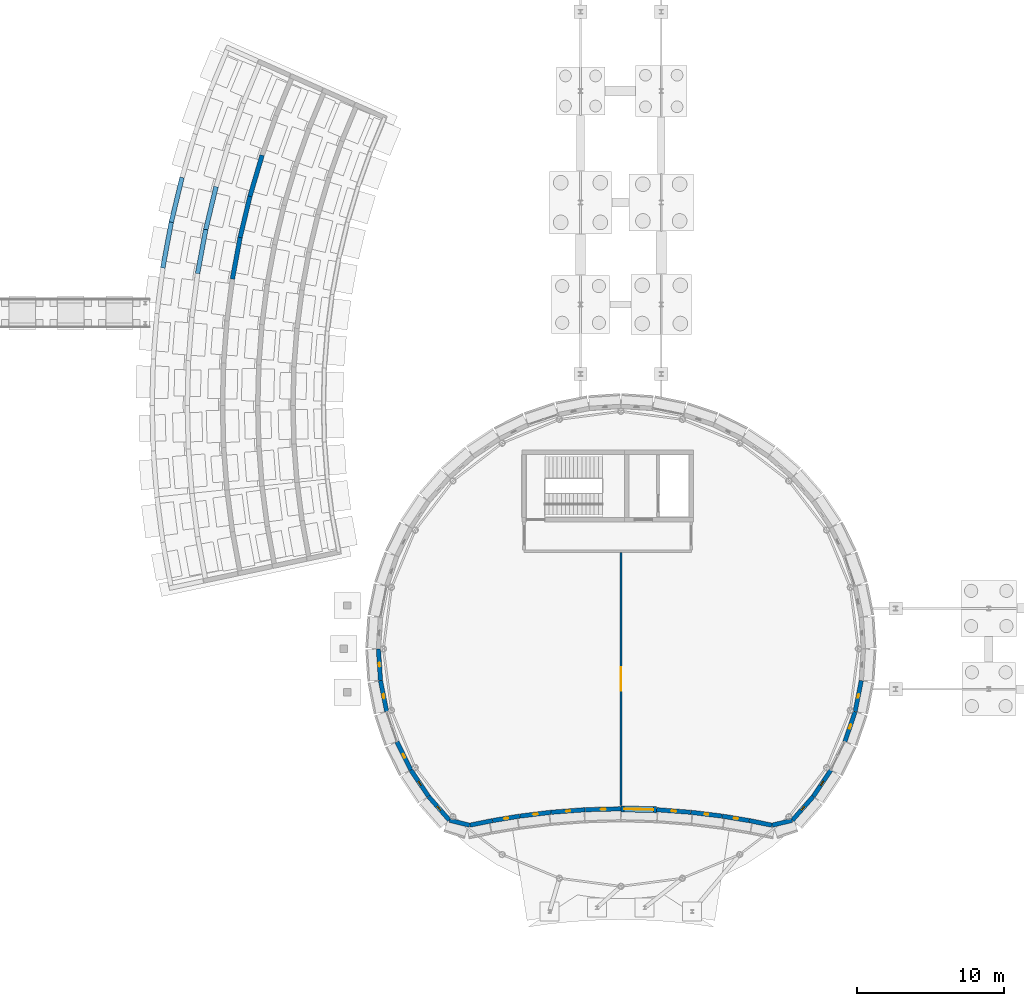
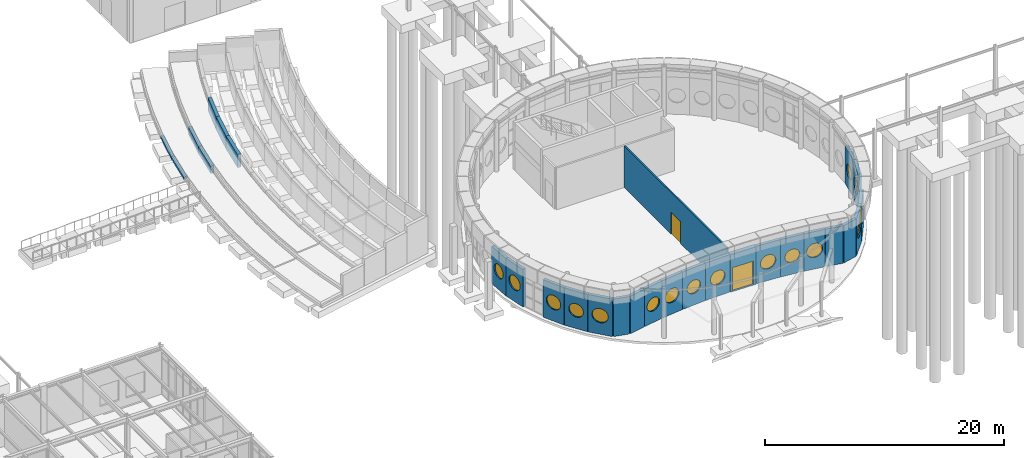
# One storey, part 83 of 109: 29 walls, 16 windows, 2 doors, 18 openings.
"""IFC4 building model written with IfcOpenShell, lengths in metres."""

from ifc_helpers import new_model, si_unit, direction, frame, frame_2d, origin, place, context, subcontext, project, spatial, rectangle, circle, extrude, material, layer, layer_set, type_object, element, fill, save


model = new_model("IFC4")

# Units and contexts
model_context = context("Model", 3, precision=1e-05, world=origin(), true_north=direction((0.0, 1.0)))
body_context = subcontext(model_context, "Body", "Model", "MODEL_VIEW")
ifc_project = project(units=[si_unit("LENGTHUNIT", "METRE"), si_unit("AREAUNIT", "SQUARE_METRE"), si_unit("VOLUMEUNIT", "CUBIC_METRE"), si_unit("PLANEANGLEUNIT", "RADIAN"), si_unit("MASSUNIT", "GRAM", prefix="KILO")], contexts=[model_context])

# Site, building, storey
site_placement = place(None, origin())
site = spatial("IfcSite", under=ifc_project, at=site_placement, CompositionType="ELEMENT")
building_placement = place(site_placement, origin())
building = spatial("IfcBuilding", under=site, at=building_placement, Name="Montecoro Central Library", CompositionType="ELEMENT")
storey_placement = place(building_placement, origin())
storey = spatial("IfcBuildingStorey", under=building, at=storey_placement, Name="L00", CompositionType="ELEMENT", Elevation=0.0)

# Wall, opening, window
ifc_material_1 = material(Name="Travertine Roman Stone and concrete C35/45", Category="masonry")
ifc_layer_1 = layer(ifc_material_1, 0.294921875)
ifc_layer_set_1 = layer_set([ifc_layer_1], Name="Travertine Roman Stone and concrete C35/45")
wall_type_1 = type_object("IfcWallType", Name="EW-DRM-295", PredefinedType="SOLIDWALL", material=ifc_layer_set_1)
wall_1_placement = place(storey_placement, frame((75.0810546875, 35.39208984375, 0.0), z_axis=(0.0, 0.0, 1.0), x_axis=(0.064773567518, -0.997899987449, 0.0)))
wall_1 = element("IfcWall", 1, at=wall_1_placement, inside=storey, type_object=wall_type_1, Name="V1-L00-EW-25", PredefinedType="SOLIDWALL", context=body_context, shape_type="SweptSolid", body=[
    extrude(rectangle(XDim=2.14453125, YDim=0.294921875, at=frame_2d((1.072265625, 0.0))), origin(), (0.0, 0.0, 1.0), 3.820068359375),
])
opening_1_placement = place(wall_1_placement, frame((0.39208984375, 0.0, 1.179931640625)))
opening_1 = element("IfcOpeningElement", 2, at=opening_1_placement, cuts=wall_1, Name="Opening WP-07", PredefinedType="OPENING", context=body_context, shape_type="SweptSolid", body=[
    extrude(circle(Radius=0.68017578125, at=frame_2d((0.68017578125, 0.68017578125))), frame((0.0, 0.157470703125, 0.0), z_axis=(0.0, -1.0, 0.0), x_axis=(1.0, 0.0, 0.0)), (0.0, 0.0, 1.0), 0.31494140625),
])
ifc_material_2 = material(Name="Clear sky-blue low-E laminated glazing", Category="glass")
window_type_1 = type_object("IfcWindowType", Name="WN-POR-CLR-136", PartitioningType="SINGLE_PANEL", PredefinedType="WINDOW", material=ifc_material_2)
window_1_placement = place(opening_1_placement, origin())
window_1 = element("IfcWindow", 3, at=window_1_placement, inside=storey, type_object=window_type_1, Name="V1-L00-WP-25", OverallHeight=1.360107421875, OverallWidth=1.360107421875, PartitioningType="SINGLE_PANEL", PredefinedType="WINDOW", context=body_context, shape_type="SweptSolid", body=[
    extrude(circle(Radius=0.68017578125, at=frame_2d((0.68017578125, 0.68017578125))), frame((0.0, 0.030029296875, 0.0), z_axis=(0.0, -1.0, 0.0), x_axis=(1.0, 0.0, 0.0)), (0.0, 0.0, 1.0), 0.06005859375),
])
fill(opening_1, window_1)

wall_2_placement = place(storey_placement, frame((75.222900390625, 33.236083984375, 0.0), z_axis=(0.0, 0.0, 1.0), x_axis=(0.194956014446, -0.98081198628, 0.0)))
wall_2 = element("IfcWall", 4, at=wall_2_placement, inside=storey, type_object=wall_type_1, Name="V1-L00-EW-26", PredefinedType="SOLIDWALL", context=body_context, shape_type="SweptSolid", body=[
    extrude(rectangle(XDim=2.145263671875, YDim=0.294921875, at=frame_2d((1.07275390625, 0.0))), origin(), (0.0, 0.0, 1.0), 3.820068359375),
])
opening_2_placement = place(wall_2_placement, frame((0.35302734375, 0.0, 1.179931640625)))
opening_2 = element("IfcOpeningElement", 5, at=opening_2_placement, cuts=wall_2, Name="Opening WP-02", PredefinedType="OPENING", context=body_context, shape_type="SweptSolid", body=[
    extrude(circle(Radius=0.719970703125, at=frame_2d((0.719970703125, 0.719970703125))), frame((0.0, 0.157470703125, 0.0), z_axis=(0.0, -1.0, 0.0), x_axis=(1.0, 0.0, 0.0)), (0.0, 0.0, 1.0), 0.31494140625),
])
ifc_material_3 = material(Name="Frosted pearl-white ceramic-fritted glazing", Category="glass")
window_type_2 = type_object("IfcWindowType", Name="WN-POR-FRT-144", PartitioningType="SINGLE_PANEL", PredefinedType="WINDOW", material=ifc_material_3)
window_2_placement = place(opening_2_placement, origin())
window_2 = element("IfcWindow", 6, at=window_2_placement, inside=storey, type_object=window_type_2, Name="V1-L00-WP-26", OverallHeight=1.43994140625, OverallWidth=1.43994140625, PartitioningType="SINGLE_PANEL", PredefinedType="WINDOW", context=body_context, shape_type="SweptSolid", body=[
    extrude(circle(Radius=0.719970703125, at=frame_2d((0.719970703125, 0.719970703125))), frame((0.0, 0.030029296875, 0.0), z_axis=(0.0, -1.0, 0.0), x_axis=(1.0, 0.0, 0.0)), (0.0, 0.0, 1.0), 0.06005859375),
])
fill(opening_2, window_2)

wall_3_placement = place(storey_placement, frame((76.342041015625, 29.071044921875, 0.0), z_axis=(0.0, 0.0, 1.0), x_axis=(0.441603666205, -0.897210232885, 0.0)))
wall_3 = element("IfcWall", 7, at=wall_3_placement, inside=storey, type_object=wall_type_1, Name="V1-L00-EW-28", PredefinedType="SOLIDWALL", context=body_context, shape_type="SweptSolid", body=[
    extrude(rectangle(XDim=2.14453125, YDim=0.294921875, at=frame_2d((1.072265625, 0.0))), origin(), (0.0, 0.0, 1.0), 3.820068359375),
])
opening_3_placement = place(wall_3_placement, frame((0.35205078125, 0.0, 1.179931640625)))
opening_3 = element("IfcOpeningElement", 8, at=opening_3_placement, cuts=wall_3, Name="Opening WP-02", PredefinedType="OPENING", context=body_context, shape_type="SweptSolid", body=[
    extrude(circle(Radius=0.719970703125, at=frame_2d((0.719970703125, 0.719970703125))), frame((0.0, 0.157470703125, 0.0), z_axis=(0.0, -1.0, 0.0), x_axis=(1.0, 0.0, 0.0)), (0.0, 0.0, 1.0), 0.31494140625),
])
window_3_placement = place(opening_3_placement, origin())
window_3 = element("IfcWindow", 9, at=window_3_placement, inside=storey, type_object=window_type_2, Name="V1-L00-WP-28", OverallHeight=1.43994140625, OverallWidth=1.43994140625, PartitioningType="SINGLE_PANEL", PredefinedType="WINDOW", context=body_context, shape_type="SweptSolid", body=[
    extrude(circle(Radius=0.719970703125, at=frame_2d((0.719970703125, 0.719970703125))), frame((0.0, 0.030029296875, 0.0), z_axis=(0.0, -1.0, 0.0), x_axis=(1.0, 0.0, 0.0)), (0.0, 0.0, 1.0), 0.06005859375),
])
fill(opening_3, window_3)

wall_4_placement = place(storey_placement, frame((77.297119140625, 27.133056640625, 0.0), z_axis=(0.0, 0.0, 1.0), x_axis=(0.556065143197, -0.831138710759, 0.0)))
wall_4 = element("IfcWall", 10, at=wall_4_placement, inside=storey, type_object=wall_type_1, Name="V1-L00-EW-29", PredefinedType="SOLIDWALL", context=body_context, shape_type="SweptSolid", body=[
    extrude(rectangle(XDim=2.145263671875, YDim=0.294921875, at=frame_2d((1.07275390625, 0.0))), origin(), (0.0, 0.0, 1.0), 3.820068359375),
])
opening_4_placement = place(wall_4_placement, frame((0.39306640625, 0.0, 1.179931640625)))
opening_4 = element("IfcOpeningElement", 11, at=opening_4_placement, cuts=wall_4, Name="Opening WP-07", PredefinedType="OPENING", context=body_context, shape_type="SweptSolid", body=[
    extrude(circle(Radius=0.68017578125, at=frame_2d((0.68017578125, 0.68017578125))), frame((0.0, 0.157470703125, 0.0), z_axis=(0.0, -1.0, 0.0), x_axis=(1.0, 0.0, 0.0)), (0.0, 0.0, 1.0), 0.31494140625),
])
window_4_placement = place(opening_4_placement, origin())
window_4 = element("IfcWindow", 12, at=window_4_placement, inside=storey, type_object=window_type_1, Name="V1-L00-WP-29", OverallHeight=1.360107421875, OverallWidth=1.360107421875, PartitioningType="SINGLE_PANEL", PredefinedType="WINDOW", context=body_context, shape_type="SweptSolid", body=[
    extrude(circle(Radius=0.68017578125, at=frame_2d((0.68017578125, 0.68017578125))), frame((0.0, 0.030029296875, 0.0), z_axis=(0.0, -1.0, 0.0), x_axis=(1.0, 0.0, 0.0)), (0.0, 0.0, 1.0), 0.06005859375),
])
fill(opening_4, window_4)

wall_5_placement = place(storey_placement, frame((78.4990234375, 25.3369140625, 0.0), z_axis=(0.0, 0.0, 1.0), x_axis=(0.659744735503, -0.751489776362, 0.0)))
wall_5 = element("IfcWall", 13, at=wall_5_placement, inside=storey, type_object=wall_type_1, Name="V1-L00-EW-30", PredefinedType="SOLIDWALL", context=body_context, shape_type="SweptSolid", body=[
    extrude(rectangle(XDim=2.144775390625, YDim=0.294921875, at=frame_2d((1.072265625, 0.0))), origin(), (0.0, 0.0, 1.0), 3.820068359375),
])
opening_5_placement = place(wall_5_placement, frame((0.35205078125, 0.0, 1.179931640625)))
opening_5 = element("IfcOpeningElement", 14, at=opening_5_placement, cuts=wall_5, Name="Opening WP-02", PredefinedType="OPENING", context=body_context, shape_type="SweptSolid", body=[
    extrude(circle(Radius=0.719970703125, at=frame_2d((0.719970703125, 0.719970703125))), frame((0.0, 0.157470703125, 0.0), z_axis=(0.0, -1.0, 0.0), x_axis=(1.0, 0.0, 0.0)), (0.0, 0.0, 1.0), 0.31494140625),
])
window_5_placement = place(opening_5_placement, origin())
window_5 = element("IfcWindow", 15, at=window_5_placement, inside=storey, type_object=window_type_2, Name="V1-L00-WP-30", OverallHeight=1.43994140625, OverallWidth=1.43994140625, PartitioningType="SINGLE_PANEL", PredefinedType="WINDOW", context=body_context, shape_type="SweptSolid", body=[
    extrude(circle(Radius=0.719970703125, at=frame_2d((0.719970703125, 0.719970703125))), frame((0.0, 0.030029296875, 0.0), z_axis=(0.0, -1.0, 0.0), x_axis=(1.0, 0.0, 0.0)), (0.0, 0.0, 1.0), 0.06005859375),
])
fill(opening_5, window_5)

# Walls
wall_6_placement = place(storey_placement, frame((79.927001953125, 23.717041015625, 0.0), z_axis=(0.0, 0.0, 1.0), x_axis=(0.971821236308, -0.235719079968, 0.0)))
element("IfcWall", 16, at=wall_6_placement, inside=storey, type_object=wall_type_1, Name="V1-L00-EW-31", PredefinedType="SOLIDWALL", context=body_context, shape_type="SweptSolid", body=[
    extrude(rectangle(XDim=1.40869140625, YDim=0.294921875, at=frame_2d((0.704345703125, 0.0))), origin(), (0.0, 0.0, 1.0), 3.820068359375),
])
wall_7_placement = place(storey_placement, frame((81.31201171875, 23.385009765625, 0.0), z_axis=(0.0, 0.0, 1.0), x_axis=(0.980280303424, 0.197612061166, 0.0)))
element("IfcWall", 17, at=wall_7_placement, inside=storey, type_object=wall_type_1, Name="V1-L00-EW-32", PredefinedType="SOLIDWALL", context=body_context, shape_type="SweptSolid", body=[
    extrude(rectangle(XDim=1.569091796875, YDim=0.294921875, at=frame_2d((0.78466796875, 0.0))), origin(), (0.0, 0.0, 1.0), 3.820068359375),
])

# Wall, opening, window
wall_8_placement = place(storey_placement, frame((82.865966796875, 23.697998046875, 0.0), z_axis=(0.0, 0.0, 1.0), x_axis=(0.986601424096, 0.163149103495, 0.0)))
wall_8 = element("IfcWall", 18, at=wall_8_placement, inside=storey, type_object=wall_type_1, Name="V1-L00-EW-33", PredefinedType="SOLIDWALL", context=body_context, shape_type="SweptSolid", body=[
    extrude(rectangle(XDim=1.869140625, YDim=0.294921875, at=frame_2d((0.9345703125, 0.0))), origin(), (0.0, 0.0, 1.0), 3.820068359375),
])
opening_6_placement = place(wall_8_placement, frame((0.2548828125, 0.0, 1.179931640625)))
opening_6 = element("IfcOpeningElement", 19, at=opening_6_placement, cuts=wall_8, Name="Opening WP-07", PredefinedType="OPENING", context=body_context, shape_type="SweptSolid", body=[
    extrude(circle(Radius=0.68017578125, at=frame_2d((0.68017578125, 0.68017578125))), frame((0.0, 0.157470703125, 0.0), z_axis=(0.0, -1.0, 0.0), x_axis=(1.0, 0.0, 0.0)), (0.0, 0.0, 1.0), 0.31494140625),
])
window_6_placement = place(opening_6_placement, origin())
window_6 = element("IfcWindow", 20, at=window_6_placement, inside=storey, type_object=window_type_1, Name="V1-L00-WP-33", OverallHeight=1.360107421875, OverallWidth=1.360107421875, PartitioningType="SINGLE_PANEL", PredefinedType="WINDOW", context=body_context, shape_type="SweptSolid", body=[
    extrude(circle(Radius=0.68017578125, at=frame_2d((0.68017578125, 0.68017578125))), frame((0.0, 0.030029296875, 0.0), z_axis=(0.0, -1.0, 0.0), x_axis=(1.0, 0.0, 0.0)), (0.0, 0.0, 1.0), 0.06005859375),
])
fill(opening_6, window_6)

wall_9_placement = place(storey_placement, frame((84.72607421875, 24.0048828125, 0.0), z_axis=(0.0, 0.0, 1.0), x_axis=(0.992603063685, 0.121404933848, 0.0)))
wall_9 = element("IfcWall", 21, at=wall_9_placement, inside=storey, type_object=wall_type_1, Name="V1-L00-EW-34", PredefinedType="SOLIDWALL", context=body_context, shape_type="SweptSolid", body=[
    extrude(rectangle(XDim=2.12548828125, YDim=0.294921875, at=frame_2d((1.062744140625, 0.0))), origin(), (0.0, 0.0, 1.0), 3.820068359375),
])
opening_7_placement = place(wall_9_placement, frame((0.343017578125, 0.0, 1.179931640625)))
opening_7 = element("IfcOpeningElement", 22, at=opening_7_placement, cuts=wall_9, Name="Opening WP-02", PredefinedType="OPENING", context=body_context, shape_type="SweptSolid", body=[
    extrude(circle(Radius=0.719970703125, at=frame_2d((0.719970703125, 0.719970703125))), frame((0.0, 0.157470703125, 0.0), z_axis=(0.0, -1.0, 0.0), x_axis=(1.0, 0.0, 0.0)), (0.0, 0.0, 1.0), 0.31494140625),
])
window_7_placement = place(opening_7_placement, origin())
window_7 = element("IfcWindow", 23, at=window_7_placement, inside=storey, type_object=window_type_2, Name="V1-L00-WP-34", OverallHeight=1.43994140625, OverallWidth=1.43994140625, PartitioningType="SINGLE_PANEL", PredefinedType="WINDOW", context=body_context, shape_type="SweptSolid", body=[
    extrude(circle(Radius=0.719970703125, at=frame_2d((0.719970703125, 0.719970703125))), frame((0.0, 0.030029296875, 0.0), z_axis=(0.0, -1.0, 0.0), x_axis=(1.0, 0.0, 0.0)), (0.0, 0.0, 1.0), 0.06005859375),
])
fill(opening_7, window_7)

wall_10_placement = place(storey_placement, frame((86.85205078125, 24.264892578125, 0.0), z_axis=(0.0, 0.0, 1.0), x_axis=(0.997232829657, 0.074341667009, 0.0)))
wall_10 = element("IfcWall", 24, at=wall_10_placement, inside=storey, type_object=wall_type_1, Name="V1-L00-EW-35", PredefinedType="SOLIDWALL", context=body_context, shape_type="SweptSolid", body=[
    extrude(rectangle(XDim=2.315185546875, YDim=0.294921875, at=frame_2d((1.15771484375, 0.0))), origin(), (0.0, 0.0, 1.0), 3.820068359375),
])
opening_8_placement = place(wall_10_placement, frame((0.47802734375, 0.0, 1.179931640625)))
opening_8 = element("IfcOpeningElement", 25, at=opening_8_placement, cuts=wall_10, Name="Opening WP-07", PredefinedType="OPENING", context=body_context, shape_type="SweptSolid", body=[
    extrude(circle(Radius=0.68017578125, at=frame_2d((0.68017578125, 0.68017578125))), frame((0.0, 0.157470703125, 0.0), z_axis=(0.0, -1.0, 0.0), x_axis=(1.0, 0.0, 0.0)), (0.0, 0.0, 1.0), 0.31494140625),
])
window_8_placement = place(opening_8_placement, origin())
window_8 = element("IfcWindow", 26, at=window_8_placement, inside=storey, type_object=window_type_1, Name="V1-L00-WP-35", OverallHeight=1.360107421875, OverallWidth=1.360107421875, PartitioningType="SINGLE_PANEL", PredefinedType="WINDOW", context=body_context, shape_type="SweptSolid", body=[
    extrude(circle(Radius=0.68017578125, at=frame_2d((0.68017578125, 0.68017578125))), frame((0.0, 0.030029296875, 0.0), z_axis=(0.0, -1.0, 0.0), x_axis=(1.0, 0.0, 0.0)), (0.0, 0.0, 1.0), 0.06005859375),
])
fill(opening_8, window_8)

wall_11_placement = place(storey_placement, frame((89.177001953125, 24.43798828125, 0.0), z_axis=(0.0, 0.0, 1.0), x_axis=(0.999670500673, 0.025668854344, 0.0)))
wall_11 = element("IfcWall", 27, at=wall_11_placement, inside=storey, type_object=wall_type_1, Name="V1-L00-EW-36", PredefinedType="SOLIDWALL", context=body_context, shape_type="SweptSolid", body=[
    extrude(rectangle(XDim=2.415771484375, YDim=0.294921875, at=frame_2d((1.2080078125, 0.0))), origin(), (0.0, 0.0, 1.0), 3.820068359375),
])
opening_9_placement = place(wall_11_placement, frame((0.488037109375, 0.0, 1.179931640625)))
opening_9 = element("IfcOpeningElement", 28, at=opening_9_placement, cuts=wall_11, Name="Opening WP-02", PredefinedType="OPENING", context=body_context, shape_type="SweptSolid", body=[
    extrude(circle(Radius=0.719970703125, at=frame_2d((0.719970703125, 0.719970703125))), frame((0.0, 0.157470703125, 0.0), z_axis=(0.0, -1.0, 0.0), x_axis=(1.0, 0.0, 0.0)), (0.0, 0.0, 1.0), 0.31494140625),
])
window_9_placement = place(opening_9_placement, origin())
window_9 = element("IfcWindow", 29, at=window_9_placement, inside=storey, type_object=window_type_2, Name="V1-L00-WP-36", OverallHeight=1.43994140625, OverallWidth=1.43994140625, PartitioningType="SINGLE_PANEL", PredefinedType="WINDOW", context=body_context, shape_type="SweptSolid", body=[
    extrude(circle(Radius=0.719970703125, at=frame_2d((0.719970703125, 0.719970703125))), frame((0.0, 0.030029296875, 0.0), z_axis=(0.0, -1.0, 0.0), x_axis=(1.0, 0.0, 0.0)), (0.0, 0.0, 1.0), 0.06005859375),
])
fill(opening_9, window_9)

wall_12_placement = place(storey_placement, frame((94.0390625, 24.43701171875, 0.0), z_axis=(0.0, 0.0, 1.0), x_axis=(0.997232829657, -0.074341667009, 0.0)))
wall_12 = element("IfcWall", 30, at=wall_12_placement, inside=storey, type_object=wall_type_1, Name="V1-L00-EW-38", PredefinedType="SOLIDWALL", context=body_context, shape_type="SweptSolid", body=[
    extrude(rectangle(XDim=2.315185546875, YDim=0.294921875, at=frame_2d((1.15771484375, 0.0))), origin(), (0.0, 0.0, 1.0), 3.820068359375),
])
opening_10_placement = place(wall_12_placement, frame((0.43798828125, 0.0, 1.179931640625)))
opening_10 = element("IfcOpeningElement", 31, at=opening_10_placement, cuts=wall_12, Name="Opening WP-02", PredefinedType="OPENING", context=body_context, shape_type="SweptSolid", body=[
    extrude(circle(Radius=0.719970703125, at=frame_2d((0.719970703125, 0.719970703125))), frame((0.0, 0.157470703125, 0.0), z_axis=(0.0, -1.0, 0.0), x_axis=(1.0, 0.0, 0.0)), (0.0, 0.0, 1.0), 0.31494140625),
])
window_10_placement = place(opening_10_placement, origin())
window_10 = element("IfcWindow", 32, at=window_10_placement, inside=storey, type_object=window_type_2, Name="V1-L00-WP-38", OverallHeight=1.43994140625, OverallWidth=1.43994140625, PartitioningType="SINGLE_PANEL", PredefinedType="WINDOW", context=body_context, shape_type="SweptSolid", body=[
    extrude(circle(Radius=0.719970703125, at=frame_2d((0.719970703125, 0.719970703125))), frame((0.0, 0.030029296875, 0.0), z_axis=(0.0, -1.0, 0.0), x_axis=(1.0, 0.0, 0.0)), (0.0, 0.0, 1.0), 0.06005859375),
])
fill(opening_10, window_10)

wall_13_placement = place(storey_placement, frame((96.364013671875, 24.262939453125, 0.0), z_axis=(0.0, 0.0, 1.0), x_axis=(0.992604756306, -0.121391094228, 0.0)))
wall_13 = element("IfcWall", 33, at=wall_13_placement, inside=storey, type_object=wall_type_1, Name="V1-L00-EW-39", PredefinedType="SOLIDWALL", context=body_context, shape_type="SweptSolid", body=[
    extrude(rectangle(XDim=2.125732421875, YDim=0.294921875, at=frame_2d((1.06298828125, 0.0))), origin(), (0.0, 0.0, 1.0), 3.820068359375),
])
opening_11_placement = place(wall_13_placement, frame((0.383056640625, 0.0, 1.179931640625)))
opening_11 = element("IfcOpeningElement", 34, at=opening_11_placement, cuts=wall_13, Name="Opening WP-07", PredefinedType="OPENING", context=body_context, shape_type="SweptSolid", body=[
    extrude(circle(Radius=0.68017578125, at=frame_2d((0.68017578125, 0.68017578125))), frame((0.0, 0.157470703125, 0.0), z_axis=(0.0, -1.0, 0.0), x_axis=(1.0, 0.0, 0.0)), (0.0, 0.0, 1.0), 0.31494140625),
])
window_11_placement = place(opening_11_placement, origin())
window_11 = element("IfcWindow", 35, at=window_11_placement, inside=storey, type_object=window_type_1, Name="V1-L00-WP-39", OverallHeight=1.360107421875, OverallWidth=1.360107421875, PartitioningType="SINGLE_PANEL", PredefinedType="WINDOW", context=body_context, shape_type="SweptSolid", body=[
    extrude(circle(Radius=0.68017578125, at=frame_2d((0.68017578125, 0.68017578125))), frame((0.0, 0.030029296875, 0.0), z_axis=(0.0, -1.0, 0.0), x_axis=(1.0, 0.0, 0.0)), (0.0, 0.0, 1.0), 0.06005859375),
])
fill(opening_11, window_11)

wall_14_placement = place(storey_placement, frame((98.489990234375, 24.0029296875, 0.0), z_axis=(0.0, 0.0, 1.0), x_axis=(0.986601424096, -0.163149103495, 0.0)))
wall_14 = element("IfcWall", 36, at=wall_14_placement, inside=storey, type_object=wall_type_1, Name="V1-L00-EW-40", PredefinedType="SOLIDWALL", context=body_context, shape_type="SweptSolid", body=[
    extrude(rectangle(XDim=1.869140625, YDim=0.294921875, at=frame_2d((0.9345703125, 0.0))), origin(), (0.0, 0.0, 1.0), 3.820068359375),
])
opening_12_placement = place(wall_14_placement, frame((0.215087890625, 0.0, 1.179931640625)))
opening_12 = element("IfcOpeningElement", 37, at=opening_12_placement, cuts=wall_14, Name="Opening WP-02", PredefinedType="OPENING", context=body_context, shape_type="SweptSolid", body=[
    extrude(circle(Radius=0.719970703125, at=frame_2d((0.719970703125, 0.719970703125))), frame((0.0, 0.157470703125, 0.0), z_axis=(0.0, -1.0, 0.0), x_axis=(1.0, 0.0, 0.0)), (0.0, 0.0, 1.0), 0.31494140625),
])
window_12_placement = place(opening_12_placement, origin())
window_12 = element("IfcWindow", 38, at=window_12_placement, inside=storey, type_object=window_type_2, Name="V1-L00-WP-40", OverallHeight=1.43994140625, OverallWidth=1.43994140625, PartitioningType="SINGLE_PANEL", PredefinedType="WINDOW", context=body_context, shape_type="SweptSolid", body=[
    extrude(circle(Radius=0.719970703125, at=frame_2d((0.719970703125, 0.719970703125))), frame((0.0, 0.030029296875, 0.0), z_axis=(0.0, -1.0, 0.0), x_axis=(1.0, 0.0, 0.0)), (0.0, 0.0, 1.0), 0.06005859375),
])
fill(opening_12, window_12)

# Walls
wall_15_placement = place(storey_placement, frame((100.35009765625, 23.695068359375, 0.0), z_axis=(0.0, 0.0, 1.0), x_axis=(0.98027422577, -0.197642207768, 0.0)))
element("IfcWall", 39, at=wall_15_placement, inside=storey, type_object=wall_type_1, Name="V1-L00-EW-41", PredefinedType="SOLIDWALL", context=body_context, shape_type="SweptSolid", body=[
    extrude(rectangle(XDim=1.56884765625, YDim=0.294921875, at=frame_2d((0.784423828125, 0.0))), origin(), (0.0, 0.0, 1.0), 3.820068359375),
])
wall_16_placement = place(storey_placement, frame((101.904052734375, 23.385009765625, 0.0), z_axis=(0.0, 0.0, 1.0), x_axis=(0.971821236308, 0.235719079968, 0.0)))
element("IfcWall", 40, at=wall_16_placement, inside=storey, type_object=wall_type_1, Name="V1-L00-EW-42", PredefinedType="SOLIDWALL", context=body_context, shape_type="SweptSolid", body=[
    extrude(rectangle(XDim=1.40869140625, YDim=0.294921875, at=frame_2d((0.704345703125, 0.0))), origin(), (0.0, 0.0, 1.0), 3.820068359375),
])

# Wall, opening, window
wall_17_placement = place(storey_placement, frame((103.285888671875, 23.72509765625, 0.0), z_axis=(0.0, 0.0, 1.0), x_axis=(0.659744735503, 0.751489776362, 0.0)))
wall_17 = element("IfcWall", 41, at=wall_17_placement, inside=storey, type_object=wall_type_1, Name="V1-L00-EW-43", PredefinedType="SOLIDWALL", context=body_context, shape_type="SweptSolid", body=[
    extrude(rectangle(XDim=2.144775390625, YDim=0.294921875, at=frame_2d((1.072265625, 0.0))), origin(), (0.0, 0.0, 1.0), 3.820068359375),
])
opening_13_placement = place(wall_17_placement, frame((0.39208984375, 0.0, 1.179931640625)))
opening_13 = element("IfcOpeningElement", 42, at=opening_13_placement, cuts=wall_17, Name="Opening WP-07", PredefinedType="OPENING", context=body_context, shape_type="SweptSolid", body=[
    extrude(circle(Radius=0.68017578125, at=frame_2d((0.68017578125, 0.68017578125))), frame((0.0, 0.157470703125, 0.0), z_axis=(0.0, -1.0, 0.0), x_axis=(1.0, 0.0, 0.0)), (0.0, 0.0, 1.0), 0.31494140625),
])
window_13_placement = place(opening_13_placement, origin())
window_13 = element("IfcWindow", 43, at=window_13_placement, inside=storey, type_object=window_type_1, Name="V1-L00-WP-43", OverallHeight=1.360107421875, OverallWidth=1.360107421875, PartitioningType="SINGLE_PANEL", PredefinedType="WINDOW", context=body_context, shape_type="SweptSolid", body=[
    extrude(circle(Radius=0.68017578125, at=frame_2d((0.68017578125, 0.68017578125))), frame((0.0, 0.030029296875, 0.0), z_axis=(0.0, -1.0, 0.0), x_axis=(1.0, 0.0, 0.0)), (0.0, 0.0, 1.0), 0.06005859375),
])
fill(opening_13, window_13)

wall_18_placement = place(storey_placement, frame((104.7099609375, 25.35009765625, 0.0), z_axis=(0.0, 0.0, 1.0), x_axis=(0.556143753234, 0.831086112108, 0.0)))
wall_18 = element("IfcWall", 44, at=wall_18_placement, inside=storey, type_object=wall_type_1, Name="V1-L00-EW-44", PredefinedType="SOLIDWALL", context=body_context, shape_type="SweptSolid", body=[
    extrude(rectangle(XDim=2.145263671875, YDim=0.294921875, at=frame_2d((1.07275390625, 0.0))), origin(), (0.0, 0.0, 1.0), 3.820068359375),
])
opening_14_placement = place(wall_18_placement, frame((0.35302734375, 0.0, 1.179931640625)))
opening_14 = element("IfcOpeningElement", 45, at=opening_14_placement, cuts=wall_18, Name="Opening WP-02", PredefinedType="OPENING", context=body_context, shape_type="SweptSolid", body=[
    extrude(circle(Radius=0.719970703125, at=frame_2d((0.719970703125, 0.719970703125))), frame((0.0, 0.157470703125, 0.0), z_axis=(0.0, -1.0, 0.0), x_axis=(1.0, 0.0, 0.0)), (0.0, 0.0, 1.0), 0.31494140625),
])
window_14_placement = place(opening_14_placement, origin())
window_14 = element("IfcWindow", 46, at=window_14_placement, inside=storey, type_object=window_type_2, Name="V1-L00-WP-44", OverallHeight=1.43994140625, OverallWidth=1.43994140625, PartitioningType="SINGLE_PANEL", PredefinedType="WINDOW", context=body_context, shape_type="SweptSolid", body=[
    extrude(circle(Radius=0.719970703125, at=frame_2d((0.719970703125, 0.719970703125))), frame((0.0, 0.030029296875, 0.0), z_axis=(0.0, -1.0, 0.0), x_axis=(1.0, 0.0, 0.0)), (0.0, 0.0, 1.0), 0.06005859375),
])
fill(opening_14, window_14)

wall_19_placement = place(storey_placement, frame((106.864990234375, 29.0859375, 0.0), z_axis=(0.0, 0.0, 1.0), x_axis=(0.321382058047, 0.946949614692, 0.0)))
wall_19 = element("IfcWall", 47, at=wall_19_placement, inside=storey, type_object=wall_type_1, Name="V1-L00-EW-46", PredefinedType="SOLIDWALL", context=body_context, shape_type="SweptSolid", body=[
    extrude(rectangle(XDim=2.143798828125, YDim=0.294921875, at=frame_2d((1.07177734375, 0.0))), origin(), (0.0, 0.0, 1.0), 3.820068359375),
])
opening_15_placement = place(wall_19_placement, frame((0.35205078125, 0.0, 1.179931640625)))
opening_15 = element("IfcOpeningElement", 48, at=opening_15_placement, cuts=wall_19, Name="Opening WP-02", PredefinedType="OPENING", context=body_context, shape_type="SweptSolid", body=[
    extrude(circle(Radius=0.719970703125, at=frame_2d((0.719970703125, 0.719970703125))), frame((0.0, 0.157470703125, 0.0), z_axis=(0.0, -1.0, 0.0), x_axis=(1.0, 0.0, 0.0)), (0.0, 0.0, 1.0), 0.31494140625),
])
window_15_placement = place(opening_15_placement, origin())
window_15 = element("IfcWindow", 49, at=window_15_placement, inside=storey, type_object=window_type_2, Name="V1-L00-WP-46", OverallHeight=1.43994140625, OverallWidth=1.43994140625, PartitioningType="SINGLE_PANEL", PredefinedType="WINDOW", context=body_context, shape_type="SweptSolid", body=[
    extrude(circle(Radius=0.719970703125, at=frame_2d((0.719970703125, 0.719970703125))), frame((0.0, 0.030029296875, 0.0), z_axis=(0.0, -1.0, 0.0), x_axis=(1.0, 0.0, 0.0)), (0.0, 0.0, 1.0), 0.06005859375),
])
fill(opening_15, window_15)

wall_20_placement = place(storey_placement, frame((107.55908203125, 31.132080078125, 0.0), z_axis=(0.0, 0.0, 1.0), x_axis=(0.194846526766, 0.980833742796, 0.0)))
wall_20 = element("IfcWall", 50, at=wall_20_placement, inside=storey, type_object=wall_type_1, Name="V1-L00-EW-47", PredefinedType="SOLIDWALL", context=body_context, shape_type="SweptSolid", body=[
    extrude(rectangle(XDim=2.14501953125, YDim=0.294921875, at=frame_2d((1.072509765625, 0.0))), origin(), (0.0, 0.0, 1.0), 3.820068359375),
])
opening_16_placement = place(wall_20_placement, frame((0.39306640625, 0.0, 1.179931640625)))
opening_16 = element("IfcOpeningElement", 51, at=opening_16_placement, cuts=wall_20, Name="Opening WP-07", PredefinedType="OPENING", context=body_context, shape_type="SweptSolid", body=[
    extrude(circle(Radius=0.68017578125, at=frame_2d((0.68017578125, 0.68017578125))), frame((0.0, 0.157470703125, 0.0), z_axis=(0.0, -1.0, 0.0), x_axis=(1.0, 0.0, 0.0)), (0.0, 0.0, 1.0), 0.31494140625),
])
window_16_placement = place(opening_16_placement, origin())
window_16 = element("IfcWindow", 52, at=window_16_placement, inside=storey, type_object=window_type_1, Name="V1-L00-WP-47", OverallHeight=1.360107421875, OverallWidth=1.360107421875, PartitioningType="SINGLE_PANEL", PredefinedType="WINDOW", context=body_context, shape_type="SweptSolid", body=[
    extrude(circle(Radius=0.68017578125, at=frame_2d((0.68017578125, 0.68017578125))), frame((0.0, 0.030029296875, 0.0), z_axis=(0.0, -1.0, 0.0), x_axis=(1.0, 0.0, 0.0)), (0.0, 0.0, 1.0), 0.06005859375),
])
fill(opening_16, window_16)

# Walls
ifc_material_4 = material(Name="Roman travertine stone clad concrete C35/45", Category="masonry")
ifc_layer_2 = layer(ifc_material_4, 0.31005859375)
ifc_layer_set_2 = layer_set([ifc_layer_2], Name="Roman travertine stone clad concrete C35/45")
wall_type_2 = type_object("IfcWallType", Name="EW-TRV-LB-310", PredefinedType="SOLIDWALL", material=ifc_layer_set_2)
for number, where, z_axis, x_axis, name in (
    (53, (61.7041015625, 67.507080078125, 0.0), (0.0, 0.0, 1.0), (-0.233617412682, -0.97232859903, 0.0), "Stepped Terrace Retaining Wall 1"),
    (54, (60.971923828125, 64.4609375, 0.0), (0.0, 0.0, 1.0), (-0.182127834384, -0.983274860831, 0.0), "Stepped Terrace Retaining Wall 1"),
):
    element("IfcWall", number, at=place(storey_placement, frame(where, z_axis=z_axis, x_axis=x_axis)), inside=storey, type_object=wall_type_2, Name=name, PredefinedType="SOLIDWALL", context=body_context, shape_type="SweptSolid", body=[
        extrude(rectangle(XDim=3.1728515625, YDim=0.31005859375, at=frame_2d((1.58642578125, 0.0))), origin(), (0.0, 0.0, 1.0), 0.260009765625),
    ])
for number, where, z_axis, x_axis, name in (
    (55, (64.02197265625, 66.885986328125, 0.0), (0.0, 0.0, 1.0), (-0.233324464948, -0.972398937709, 0.0), "Stepped Terrace Retaining Wall 2"),
    (56, (63.319091796875, 63.9619140625, 0.0), (0.0, 0.0, 1.0), (-0.182212639927, -0.983259148877, 0.0), "Stepped Terrace Retaining Wall 2"),
):
    element("IfcWall", number, at=place(storey_placement, frame(where, z_axis=z_axis, x_axis=x_axis)), inside=storey, type_object=wall_type_2, Name=name, PredefinedType="SOLIDWALL", context=body_context, shape_type="SweptSolid", body=[
        extrude(rectangle(XDim=3.046875, YDim=0.31005859375, at=frame_2d((1.5234375, 0.0))), origin(), (0.0, 0.0, 1.0), 0.780029296875),
    ])
wall_21_placement = place(storey_placement, frame((67.159912109375, 69.027099609375, 0.0), z_axis=(0.0, 0.0, 1.0), x_axis=(-0.284057030023, -0.958807386129, 0.0)))
element("IfcWall", 57, at=wall_21_placement, inside=storey, type_object=wall_type_2, Name="Stepped Terrace Retaining Wall 3", PredefinedType="SOLIDWALL", context=body_context, shape_type="SweptSolid", body=[
    extrude(rectangle(XDim=2.92138671875, YDim=0.31005859375, at=frame_2d((1.460693359375, 0.0))), origin(), (0.0, 0.0, 1.0), 1.340087890625),
])
for number, where, z_axis, x_axis, name in (
    (58, (66.341064453125, 66.264892578125, 0.0), (0.0, 0.0, 1.0), (-0.233480409733, -0.972361505959, 0.0), "Stepped Terrace Retaining Wall 3"),
    (59, (65.6669921875, 63.462890625, 0.0), (0.0, 0.0, 1.0), (-0.182083275577, -0.983283113226, 0.0), "Stepped Terrace Retaining Wall 3"),
):
    element("IfcWall", number, at=place(storey_placement, frame(where, z_axis=z_axis, x_axis=x_axis)), inside=storey, type_object=wall_type_2, Name=name, PredefinedType="SOLIDWALL", context=body_context, shape_type="SweptSolid", body=[
        extrude(rectangle(XDim=2.921630859375, YDim=0.31005859375, at=frame_2d((1.4609375, 0.0))), origin(), (0.0, 0.0, 1.0), 1.340087890625),
    ])

# Wall, opening, door
ifc_material_5 = material(Name="Bright white Roman travertine architrave concrete C35/45", Category="masonry")
ifc_layer_3 = layer(ifc_material_5, 0.4150390625)
ifc_layer_set_3 = layer_set([ifc_layer_3], Name="Bright white Roman travertine architrave concrete C35/45")
wall_type_3 = type_object("IfcWallType", Name="EW-WTRV-415", PredefinedType="SOLIDWALL", material=ifc_layer_set_3)
wall_22_placement = place(storey_placement, frame((91.60791015625, 24.5, 0.0), z_axis=(0.0, 0.0, 1.0), x_axis=(0.999670500673, -0.025668854344, 0.0)))
wall_22 = element("IfcWall", 60, at=wall_22_placement, inside=storey, type_object=wall_type_3, Name="V1-L00-EW-37", PredefinedType="SOLIDWALL", context=body_context, shape_type="SweptSolid", body=[
    extrude(rectangle(XDim=2.415771484375, YDim=0.4150390625, at=frame_2d((1.2080078125, 0.0))), origin(), (0.0, 0.0, 1.0), 3.820068359375),
])
opening_17_placement = place(wall_22_placement, frame((0.2080078125, 0.0, 0.0)))
opening_17 = element("IfcOpeningElement", 61, at=opening_17_placement, cuts=wall_22, Name="Opening ED-03", PredefinedType="OPENING", context=body_context, shape_type="SweptSolid", body=[
    extrude(rectangle(XDim=2.0, YDim=2.449951171875, at=frame_2d((1.0, 1.22509765625))), frame((0.0, 0.217529296875, 0.0), z_axis=(0.0, -1.0, 0.0), x_axis=(1.0, 0.0, 0.0)), (0.0, 0.0, 1.0), 0.43505859375),
])
ifc_material_6 = material(Name="Thermally broken architectural bronze and safety glass", Category="glass")
door_type_1 = type_object("IfcDoorType", Name="ED-EXIT-200", OperationType="NOTDEFINED", PredefinedType="DOOR", material=ifc_material_6)
door_1_placement = place(opening_17_placement, origin())
door_1 = element("IfcDoor", 62, at=door_1_placement, inside=storey, type_object=door_type_1, Name="V1-L00-ED-37", OperationType="SINGLE_SWING_LEFT", OverallHeight=2.449951171875, OverallWidth=2.0, PredefinedType="DOOR", context=body_context, shape_type="SweptSolid", body=[
    extrude(rectangle(XDim=2.0, YDim=2.449951171875, at=frame_2d((1.0, 1.22509765625))), frame((0.0, 0.02490234375, 0.0), z_axis=(0.0, -1.0, 0.0), x_axis=(1.0, 0.0, 0.0)), (0.0, 0.0, 1.0), 0.050048828125),
])
fill(opening_17, door_1)

ifc_material_7 = material(Name="Gypsum metal-stud partition")
ifc_layer_4 = layer(ifc_material_7, 0.139892578125)
ifc_layer_set_4 = layer_set([ifc_layer_4], Name="Gypsum metal-stud partition")
wall_type_4 = type_object("IfcWallType", Name="IW-PRT-140", PredefinedType="PARTITIONING", material=ifc_layer_set_4)
wall_23_placement = place(storey_placement, frame((91.60009765625, 24.719970703125, 0.0), z_axis=(0.0, 0.0, 1.0), x_axis=(0.0, 1.0, 0.0)))
wall_23 = element("IfcWall", 63, at=wall_23_placement, inside=storey, type_object=wall_type_4, Name="V1-L00-SPINE-S", PredefinedType="PARTITIONING", context=body_context, shape_type="SweptSolid", body=[
    extrude(rectangle(XDim=17.239990234375, YDim=0.139892578125, at=frame_2d((8.6201171875, 0.0))), origin(), (0.0, 0.0, 1.0), 4.25),
])
opening_18_placement = place(wall_23_placement, frame((7.820068359375, 0.0, 0.0)))
opening_18 = element("IfcOpeningElement", 64, at=opening_18_placement, cuts=wall_23, Name="Opening ID-06", PredefinedType="OPENING", context=body_context, shape_type="SweptSolid", body=[
    extrude(rectangle(XDim=1.60009765625, YDim=2.25, at=frame_2d((0.800048828125, 1.125))), frame((0.0, 0.079833984375, 0.0), z_axis=(0.0, -1.0, 0.0), x_axis=(1.0, 0.0, 0.0)), (0.0, 0.0, 1.0), 0.159912109375),
])
ifc_material_8 = material(Name="Solid oak and fire-rated steel door", Category="steel")
door_type_2 = type_object("IfcDoorType", Name="ID-COR-160", OperationType="NOTDEFINED", PredefinedType="DOOR", material=ifc_material_8)
door_2_placement = place(opening_18_placement, origin())
door_2 = element("IfcDoor", 65, at=door_2_placement, inside=storey, type_object=door_type_2, Name="V1-L00-DR-SPINE", OperationType="DOUBLE_DOOR_SINGLE_SWING", OverallHeight=2.25, OverallWidth=1.60009765625, PredefinedType="DOOR", context=body_context, shape_type="SweptSolid", body=[
    extrude(rectangle(XDim=1.60009765625, YDim=2.25, at=frame_2d((0.800048828125, 1.125))), frame((0.0, 0.02490234375, 0.0), z_axis=(0.0, -1.0, 0.0), x_axis=(1.0, 0.0, 0.0)), (0.0, 0.0, 1.0), 0.050048828125),
])
fill(opening_18, door_2)

save(model, "model.ifc")
